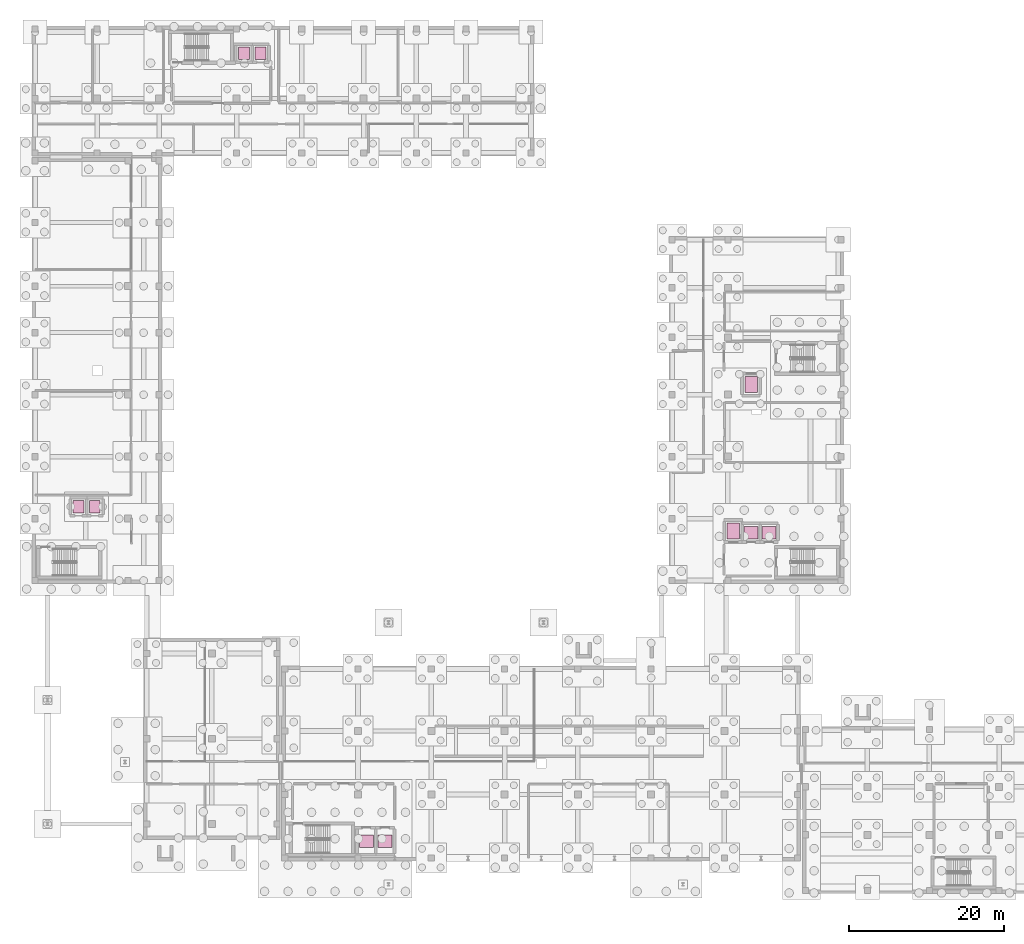
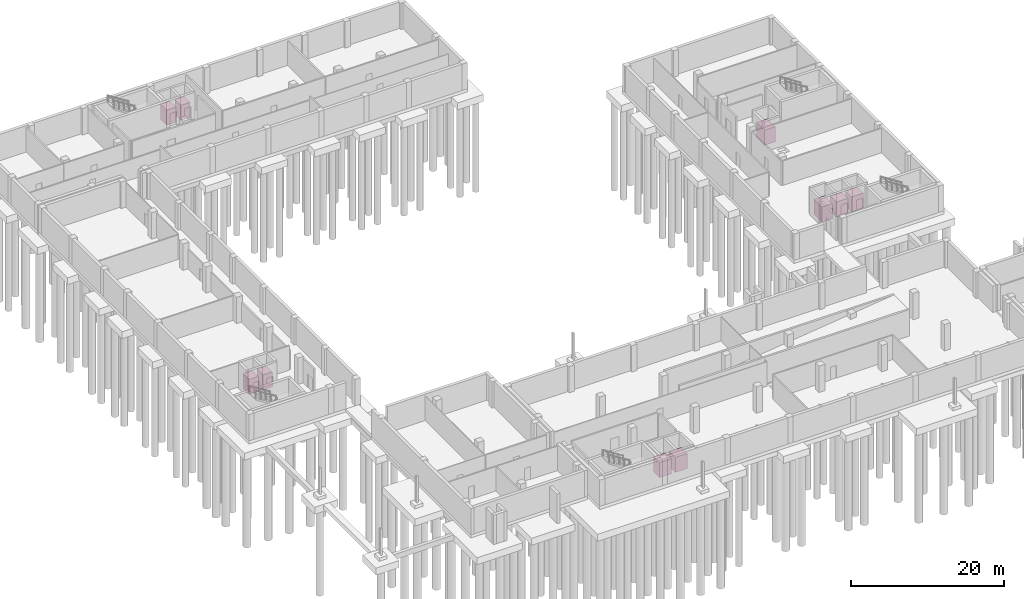
# One storey, part 31 of 31: 10 transport elements.
"""IFC4 building model written with IfcOpenShell, lengths in metres."""

from ifc_helpers import new_model, si_unit, direction, frame, origin, origin_2d, place, context, subcontext, project, spatial, rectangle, extrude, material, type_object, element, save


model = new_model("IFC4")

# Units and contexts
model_context = context("Model", 3, precision=1e-05, world=origin(), true_north=direction((0.0, 1.0)))
body_context = subcontext(model_context, "Body", "Model", "MODEL_VIEW")
ifc_project = project(units=[si_unit("LENGTHUNIT", "METRE"), si_unit("AREAUNIT", "SQUARE_METRE"), si_unit("VOLUMEUNIT", "CUBIC_METRE"), si_unit("PLANEANGLEUNIT", "RADIAN"), si_unit("MASSUNIT", "GRAM", prefix="KILO")], contexts=[model_context])

# Site, building, storey
site_placement = place(None, origin())
site = spatial("IfcSite", under=ifc_project, at=site_placement, CompositionType="ELEMENT")
building_placement = place(site_placement, origin())
building = spatial("IfcBuilding", under=site, at=building_placement, Name="Qalavern Law Courts", CompositionType="ELEMENT")
storey_placement = place(building_placement, frame((0.0, 0.0, -8.39990234375)))
storey = spatial("IfcBuildingStorey", under=building, at=storey_placement, Name="B2", CompositionType="ELEMENT", Elevation=-8.39990234375)

# Transport elements
ifc_material = material(Name="Stainless steel elevator cab assembly", Category="steel")
transport_element_type_1 = type_object("IfcTransportElementType", Name="LIFT-CUS-1275", PredefinedType="ELEVATOR", material=ifc_material)
for number, where, z_axis, x_axis, name in (
    (1, (8.0, 50.949951171875, 0.0), (0.0, 0.0, 1.0), (1.0, 0.0, 0.0), "Elevator LF-C1 car"),
    (2, (10.10009765625, 50.949951171875, 0.0), (0.0, 0.0, 1.0), (1.0, 0.0, 0.0), "Elevator LF-C2 car"),
):
    element("IfcTransportElement", number, at=place(storey_placement, frame(where, z_axis=z_axis, x_axis=x_axis)), inside=storey, type_object=transport_element_type_1, Name=name, PredefinedType="ELEVATOR", context=body_context, shape_type="SweptSolid", body=[
        extrude(rectangle(XDim=1.39990234375, YDim=1.60009765625, at=origin_2d()), origin(), (0.0, 0.0, 1.0), 2.39990234375),
    ])
transport_element_type_2 = type_object("IfcTransportElementType", Name="LIFT-FF-1600", PredefinedType="ELEVATOR", material=ifc_material)
for number, where, z_axis, x_axis, name in (
    (3, (92.5, 47.800048828125, 0.0), (0.0, 0.0, 1.0), (1.0, 0.0, 0.0), "Elevator LF-FF1 car"),
    (4, (94.800048828125, 66.699951171875, 0.0), (0.0, 0.0, 1.0), (1.0, 0.0, 0.0), "Elevator LF-FF2 car"),
):
    element("IfcTransportElement", number, at=place(storey_placement, frame(where, z_axis=z_axis, x_axis=x_axis)), inside=storey, type_object=transport_element_type_2, Name=name, PredefinedType="ELEVATOR", context=body_context, shape_type="SweptSolid", body=[
        extrude(rectangle(XDim=1.60009765625, YDim=2.10009765625, at=origin_2d()), origin(), (0.0, 0.0, 1.0), 2.39990234375),
    ])
transport_element_type_3 = type_object("IfcTransportElementType", Name="LIFT-JUD-1275", PredefinedType="ELEVATOR", material=ifc_material)
for number, where, z_axis, x_axis, name in (
    (5, (29.35009765625, 109.449951171875, 0.0), (0.0, 0.0, 1.0), (1.0, 0.0, 0.0), "Elevator LF-J1 car"),
    (6, (31.5, 109.449951171875, 0.0), (0.0, 0.0, 1.0), (1.0, 0.0, 0.0), "Elevator LF-J2 car"),
):
    element("IfcTransportElement", number, at=place(storey_placement, frame(where, z_axis=z_axis, x_axis=x_axis)), inside=storey, type_object=transport_element_type_3, Name=name, PredefinedType="ELEVATOR", context=body_context, shape_type="SweptSolid", body=[
        extrude(rectangle(XDim=1.39990234375, YDim=1.60009765625, at=origin_2d()), origin(), (0.0, 0.0, 1.0), 2.39990234375),
    ])
transport_element_type_4 = type_object("IfcTransportElementType", Name="LIFT-PUB-1600", PredefinedType="ELEVATOR", material=ifc_material)
for number, where, z_axis, x_axis, name in (
    (7, (94.800048828125, 47.60009765625, 0.0), (0.0, 0.0, 1.0), (1.0, 0.0, 0.0), "Elevator LF-P1 car"),
    (8, (97.10009765625, 47.60009765625, 0.0), (0.0, 0.0, 1.0), (1.0, 0.0, 0.0), "Elevator LF-P2 car"),
    (9, (45.14990234375, 7.77490234375, 0.0), (0.0, 0.0, 1.0), (1.0, 0.0, 0.0), "Elevator LF-P3 car"),
    (10, (47.550048828125, 7.77490234375, 0.0), (0.0, 0.0, 1.0), (1.0, 0.0, 0.0), "Elevator LF-P4 car"),
):
    element("IfcTransportElement", number, at=place(storey_placement, frame(where, z_axis=z_axis, x_axis=x_axis)), inside=storey, type_object=transport_element_type_4, Name=name, PredefinedType="ELEVATOR", context=body_context, shape_type="SweptSolid", body=[
        extrude(rectangle(XDim=1.800048828125, YDim=1.60009765625, at=origin_2d()), origin(), (0.0, 0.0, 1.0), 2.39990234375),
    ])

save(model, "model.ifc")
